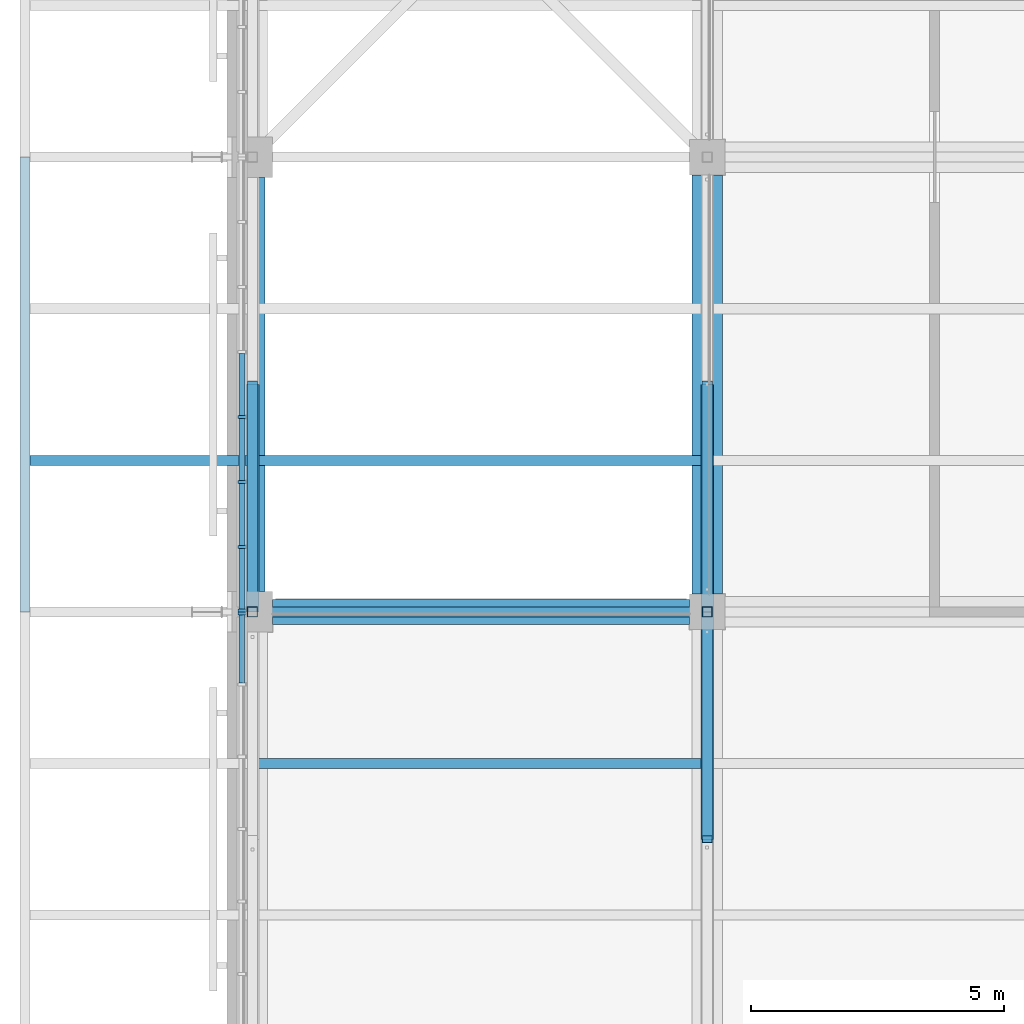
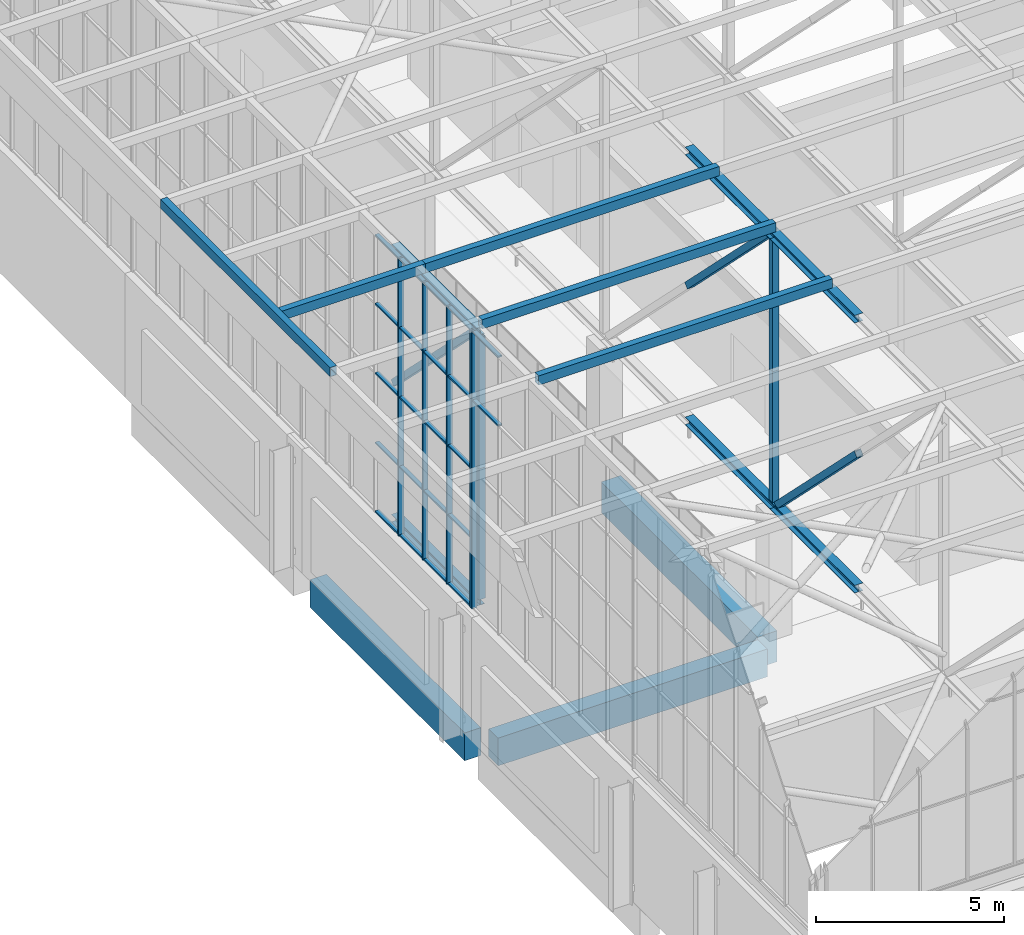
# One storey, part 14 of 646: 45 members, 3 beams, 2 elements without a shape of their own.
"""IFC4 building model written with IfcOpenShell, lengths in metres."""

from ifc_helpers import new_model, si_unit, direction, frame, origin, origin_2d, place, context, subcontext, project, spatial, rectangle, hollow_rectangle, i_section, extrude, material, material_profile, profile_set, type_object, element, aggregate, save


model = new_model("IFC4")

# Units and contexts
model_context = context("Model", 3, precision=1e-05, world=origin(), true_north=direction((0.0, 1.0)))
body_context = subcontext(model_context, "Body", "Model", "MODEL_VIEW")
ifc_project = project(units=[si_unit("LENGTHUNIT", "METRE"), si_unit("AREAUNIT", "SQUARE_METRE"), si_unit("VOLUMEUNIT", "CUBIC_METRE"), si_unit("PLANEANGLEUNIT", "RADIAN"), si_unit("MASSUNIT", "GRAM", prefix="KILO")], contexts=[model_context])

# Site, building, storey
site_placement = place(None, origin())
site = spatial("IfcSite", under=ifc_project, at=site_placement, CompositionType="ELEMENT")
building_placement = place(site_placement, origin())
building = spatial("IfcBuilding", under=site, at=building_placement, Name="Silverbay Arena", CompositionType="ELEMENT")
storey_placement = place(building_placement, frame((0.0, 0.0, 33.5)))
storey = spatial("IfcBuildingStorey", under=building, at=storey_placement, Name="L05", CompositionType="ELEMENT", Elevation=33.5)

# Curtain wall, member
ifc_material_1 = material(Name="Aluminium framed glazing", Category="aluminium")
curtain_wall_type_1 = type_object("IfcCurtainWallType", Name="Curtain wall clerestory 8600 x 9000", PredefinedType="NOTDEFINED", material=ifc_material_1)
curtain_wall_1_placement = place(storey_placement, origin())
curtain_wall_1 = element("IfcCurtainWall", 1, at=curtain_wall_1_placement, inside=storey, type_object=curtain_wall_type_1, Name="ROOF GABLE CLERESTORY CURTAIN WALL west bay 03", PredefinedType="NOTDEFINED")
ifc_material_2 = material(Name="Aluminium", Category="aluminium")
ifc_material_profile_1 = material_profile(ifc_material_2, rectangle(XDim=0.159912109375, YDim=0.06005859375, at=origin_2d()), Name="Mullion 60 x 160")
ifc_profile_set_1 = profile_set([ifc_material_profile_1], Name="Aluminium")
member_type_1 = type_object("IfcMemberType", Name="Mullion 60 x 160", PredefinedType="MULLION", material=ifc_profile_set_1)
member_1_placement = place(storey_placement, frame((53.7900390625, 35.969970703125, 4.0), z_axis=(0.0, 0.0, 1.0), x_axis=(-1.0, 0.0, 0.0)))
member_1 = element("IfcMember", 2, at=member_1_placement, type_object=member_type_1, Name="CW59 mullion 7", PredefinedType="MULLION", context=body_context, shape_type="SweptSolid", body=[
    extrude(rectangle(XDim=0.159912109375, YDim=0.06005859375, at=origin_2d()), origin(), (0.0, 0.0, 1.0), 9.0),
])

# Curtain wall, members
ifc_material_3 = material(Name="Aluminium framed glazing", Category="aluminium")
curtain_wall_type_2 = type_object("IfcCurtainWallType", Name="Curtain wall clerestory 9000 x 9000", PredefinedType="NOTDEFINED", material=ifc_material_3)
curtain_wall_2_placement = place(storey_placement, origin())
curtain_wall_2 = element("IfcCurtainWall", 3, at=curtain_wall_2_placement, inside=storey, type_object=curtain_wall_type_2, Name="ROOF GABLE CLERESTORY CURTAIN WALL west bay 04", PredefinedType="NOTDEFINED")
member_2_placement = place(storey_placement, frame((53.7900390625, 36.030029296875, 4.0), z_axis=(0.0, 0.0, 1.0), x_axis=(-1.0, 0.0, 0.0)))
member_2 = element("IfcMember", 4, at=member_2_placement, type_object=member_type_1, Name="CW60 mullion 1", PredefinedType="MULLION", context=body_context, shape_type="SweptSolid", body=[
    extrude(rectangle(XDim=0.159912109375, YDim=0.06005859375, at=origin_2d()), origin(), (0.0, 0.0, 1.0), 9.0),
])
member_3_placement = place(storey_placement, frame((53.7900390625, 37.28564453125, 4.0), z_axis=(0.0, 0.0, 1.0), x_axis=(-1.0, 0.0, 0.0)))
member_3 = element("IfcMember", 5, at=member_3_placement, type_object=member_type_1, Name="CW60 mullion 2", PredefinedType="MULLION", context=body_context, shape_type="SweptSolid", body=[
    extrude(rectangle(XDim=0.159912109375, YDim=0.06005859375, at=origin_2d()), origin(), (0.0, 0.0, 1.0), 9.0),
])
member_4_placement = place(storey_placement, frame((53.7900390625, 38.571533203125, 4.0), z_axis=(0.0, 0.0, 1.0), x_axis=(-1.0, 0.0, 0.0)))
member_4 = element("IfcMember", 6, at=member_4_placement, type_object=member_type_1, Name="CW60 mullion 3", PredefinedType="MULLION", context=body_context, shape_type="SweptSolid", body=[
    extrude(rectangle(XDim=0.159912109375, YDim=0.06005859375, at=origin_2d()), origin(), (0.0, 0.0, 1.0), 9.0),
])
member_5_placement = place(storey_placement, frame((53.7900390625, 39.857177734375, 4.0), z_axis=(0.0, 0.0, 1.0), x_axis=(-1.0, 0.0, 0.0)))
member_5 = element("IfcMember", 7, at=member_5_placement, type_object=member_type_1, Name="CW60 mullion 4", PredefinedType="MULLION", context=body_context, shape_type="SweptSolid", body=[
    extrude(rectangle(XDim=0.159912109375, YDim=0.06005859375, at=origin_2d()), origin(), (0.0, 0.0, 1.0), 9.0),
])

# Members
ifc_material_4 = material(Name="Steel S355", Category="steel")
ifc_material_profile_2 = material_profile(ifc_material_4, hollow_rectangle(XDim=0.199951171875, YDim=0.300048828125, WallThickness=0.008056640625, at=origin_2d()), Name="RHS 300x200x8")
ifc_profile_set_2 = profile_set([ifc_material_profile_2], Name="Steel S355")
member_type_2 = type_object("IfcMemberType", Name="Purlin RHS 300x200x8", PredefinedType="PURLIN", material=ifc_profile_set_2)
for number, where, z_axis, x_axis, name in (
    (8, (54.0, 33.0, 13.14990234375), (1.0, 0.0, 0.0), (0.0, 1.0, 0.0), "ROOF PURLIN 7-8 line 09"),
    (9, (54.0, 36.0, 13.14990234375), (1.0, 0.0, 0.0), (0.0, 1.0, 0.0), "ROOF PURLIN 7-8 line 10"),
    (10, (54.0, 39.0, 13.14990234375), (1.0, 0.0, 0.0), (0.0, 1.0, 0.0), "ROOF PURLIN 7-8 line 11"),
):
    element("IfcMember", number, at=place(storey_placement, frame(where, z_axis=z_axis, x_axis=x_axis)), inside=storey, type_object=member_type_2, Name=name, PredefinedType="PURLIN", context=body_context, shape_type="SweptSolid", body=[
        extrude(hollow_rectangle(XDim=0.199951171875, YDim=0.300048828125, WallThickness=0.008056640625, at=origin_2d()), origin(), (0.0, 0.0, 1.0), 9.0),
    ])
member_6_placement = place(storey_placement, frame((49.60009765625, 39.0, 13.14990234375), z_axis=(1.0, 0.0, 0.0), x_axis=(0.0, 1.0, 0.0)))
element("IfcMember", 11, at=member_6_placement, inside=storey, type_object=member_type_2, Name="ROOF PURLIN west eave line 11", PredefinedType="PURLIN", context=body_context, shape_type="SweptSolid", body=[
    extrude(hollow_rectangle(XDim=0.199951171875, YDim=0.300048828125, WallThickness=0.008056640625, at=origin_2d()), origin(), (0.0, 0.0, 1.0), 4.39990234375),
])
member_7_placement = place(storey_placement, frame((49.5, 36.0, 13.14990234375), z_axis=(0.0, 1.0, 0.0), x_axis=(-1.0, 0.0, 0.0)))
element("IfcMember", 12, at=member_7_placement, inside=storey, type_object=member_type_2, Name="ROOF PURLIN west eave edge 04", PredefinedType="PURLIN", context=body_context, shape_type="SweptSolid", body=[
    extrude(hollow_rectangle(XDim=0.199951171875, YDim=0.300048828125, WallThickness=0.008056640625, at=origin_2d()), origin(), (0.0, 0.0, 1.0), 9.0),
])

# Beams
ifc_material_5 = material(Name="Concrete Grade C45", Category="concrete")
ifc_material_profile_3 = material_profile(ifc_material_5, rectangle(XDim=0.5, YDim=0.89990234375, at=origin_2d()), Name="RC 500x900")
ifc_profile_set_3 = profile_set([ifc_material_profile_3], Name="Concrete Grade C45")
beam_type_1 = type_object("IfcBeamType", Name="RC beam 500x900", PredefinedType="BEAM", material=ifc_profile_set_3)
beam_1_placement = place(storey_placement, frame((54.39990234375, 36.0, -0.75), z_axis=(1.0, 0.0, 0.0), x_axis=(0.0, 1.0, 0.0)))
element("IfcBeam", 13, at=beam_1_placement, inside=storey, type_object=beam_type_1, Name="Floor beam L05 011", PredefinedType="BEAM", context=body_context, shape_type="SweptSolid", body=[
    extrude(rectangle(XDim=0.5, YDim=0.89990234375, at=origin_2d()), origin(), (0.0, 0.0, 1.0), 8.25),
])
beam_2_placement = place(storey_placement, frame((54.0, 36.39990234375, -0.75), z_axis=(0.0, 1.0, 0.0), x_axis=(-1.0, 0.0, 0.0)))
element("IfcBeam", 14, at=beam_2_placement, inside=storey, type_object=beam_type_1, Name="Floor beam L05 072", PredefinedType="BEAM", context=body_context, shape_type="SweptSolid", body=[
    extrude(rectangle(XDim=0.5, YDim=0.89990234375, at=origin_2d()), origin(), (0.0, 0.0, 1.0), 8.2001953125),
])
ifc_material_6 = material(Name="Concrete Grade C45", Category="concrete")
ifc_material_profile_4 = material_profile(ifc_material_6, rectangle(XDim=0.60009765625, YDim=1.0, at=origin_2d()), Name="RC 600x1000")
ifc_profile_set_4 = profile_set([ifc_material_profile_4], Name="Concrete Grade C45")
beam_type_2 = type_object("IfcBeamType", Name="RC beam 600x1000", PredefinedType="BEAM", material=ifc_profile_set_4)
beam_3_placement = place(storey_placement, frame((63.0, 36.35009765625, -0.800048828125), z_axis=(0.0, 1.0, 0.0), x_axis=(-1.0, 0.0, 0.0)))
element("IfcBeam", 15, at=beam_3_placement, inside=storey, type_object=beam_type_2, Name="Floor beam L05 080", PredefinedType="BEAM", context=body_context, shape_type="SweptSolid", body=[
    extrude(rectangle(XDim=0.60009765625, YDim=1.0, at=origin_2d()), origin(), (0.0, 0.0, 1.0), 8.2998046875),
])

# Members
ifc_material_7 = material(Name="Steel S355", Category="steel")
ifc_material_profile_5 = material_profile(ifc_material_7, i_section(OverallWidth=0.254638671875, OverallDepth=0.254150390625, WebThickness=0.008544921875, FlangeThickness=0.01416015625, at=origin_2d()), Name="UC 254x254x73")
ifc_profile_set_5 = profile_set([ifc_material_profile_5], Name="Steel S355")
member_type_3 = type_object("IfcMemberType", Name="Short-span bottom chord UC 254x254x73", PredefinedType="CHORD", material=ifc_profile_set_5)
for number, where, z_axis, x_axis, name in (
    (16, (54.0, 36.0, 4.126953125), (0.0, 1.0, 0.0), (-1.0, 0.0, 0.0), "ROOF TRUSS 7 bottom chord 04a"),
    (17, (63.0, 31.5, 4.126953125), (0.0, 1.0, 0.0), (-1.0, 0.0, 0.0), "ROOF TRUSS 8 bottom chord 03b"),
    (18, (63.0, 36.0, 4.126953125), (0.0, 1.0, 0.0), (-1.0, 0.0, 0.0), "ROOF TRUSS 8 bottom chord 04a"),
):
    element("IfcMember", number, at=place(storey_placement, frame(where, z_axis=z_axis, x_axis=x_axis)), inside=storey, type_object=member_type_3, Name=name, PredefinedType="CHORD", context=body_context, shape_type="SweptSolid", body=[
        extrude(i_section(OverallWidth=0.254638671875, OverallDepth=0.254150390625, WebThickness=0.008544921875, FlangeThickness=0.01416015625, at=origin_2d()), origin(), (0.0, 0.0, 1.0), 4.5),
    ])
ifc_material_8 = material(Name="Steel S355", Category="steel")
ifc_material_profile_6 = material_profile(ifc_material_8, i_section(OverallWidth=0.254638671875, OverallDepth=0.254150390625, WebThickness=0.008544921875, FlangeThickness=0.01416015625, at=origin_2d()), Name="UC 254x254x73")
ifc_profile_set_6 = profile_set([ifc_material_profile_6], Name="Steel S355")
member_type_4 = type_object("IfcMemberType", Name="Short-span top chord UC 254x254x73", PredefinedType="CHORD", material=ifc_profile_set_6)
for number, where, z_axis, x_axis, name in (
    (19, (54.0, 36.0, 12.873046875), (0.0, 1.0, 0.0), (-1.0, 0.0, 0.0), "ROOF TRUSS 7 top chord 04a"),
    (20, (63.0, 31.5, 12.873046875), (0.0, 1.0, 0.0), (-1.0, 0.0, 0.0), "ROOF TRUSS 8 top chord 03b"),
    (21, (63.0, 36.0, 12.873046875), (0.0, 1.0, 0.0), (-1.0, 0.0, 0.0), "ROOF TRUSS 8 top chord 04a"),
):
    element("IfcMember", number, at=place(storey_placement, frame(where, z_axis=z_axis, x_axis=x_axis)), inside=storey, type_object=member_type_4, Name=name, PredefinedType="CHORD", context=body_context, shape_type="SweptSolid", body=[
        extrude(i_section(OverallWidth=0.254638671875, OverallDepth=0.254150390625, WebThickness=0.008544921875, FlangeThickness=0.01416015625, at=origin_2d()), origin(), (0.0, 0.0, 1.0), 4.5),
    ])
ifc_material_9 = material(Name="Steel S355", Category="steel")
ifc_material_profile_7 = material_profile(ifc_material_9, hollow_rectangle(XDim=0.199951171875, YDim=0.199951171875, WallThickness=0.008056640625, at=origin_2d()), Name="SHS 200x200x8")
ifc_profile_set_7 = profile_set([ifc_material_profile_7], Name="Steel S355")
member_type_5 = type_object("IfcMemberType", Name="Short-span truss diagonal SHS 200x200x8", PredefinedType="BRACE", material=ifc_profile_set_7)
for number, where, z_axis, x_axis, name in (
    (22, (54.0, 36.24560546875, 12.745849609375), (0.0, 0.70781724692, -0.706395600894), (-1.0, 0.0, 0.0), "ROOF TRUSS 7 diagonal 04a"),
    (23, (63.0, 31.5, 8.5), (0.0, 0.70781724692, -0.706395600894), (-1.0, 0.0, 0.0), "ROOF TRUSS 8 diagonal 03b"),
    (24, (63.0, 36.24560546875, 12.745849609375), (0.0, 0.70781724692, -0.706395600894), (-1.0, 0.0, 0.0), "ROOF TRUSS 8 diagonal 04a"),
):
    element("IfcMember", number, at=place(storey_placement, frame(where, z_axis=z_axis, x_axis=x_axis)), inside=storey, type_object=member_type_5, Name=name, PredefinedType="BRACE", context=body_context, shape_type="SweptSolid", body=[
        extrude(hollow_rectangle(XDim=0.199951171875, YDim=0.199951171875, WallThickness=0.008056640625, at=origin_2d()), origin(), (0.0, 0.0, 1.0), 6.010498046875),
    ])
ifc_material_10 = material(Name="Steel S355", Category="steel")
ifc_material_profile_8 = material_profile(ifc_material_10, hollow_rectangle(XDim=0.199951171875, YDim=0.199951171875, WallThickness=0.008056640625, at=origin_2d()), Name="SHS 200x200x8")
ifc_profile_set_8 = profile_set([ifc_material_profile_8], Name="Steel S355")
member_type_6 = type_object("IfcMemberType", Name="Short-span truss vertical SHS 200x200x8", PredefinedType="STRUT", material=ifc_profile_set_8)
for number, where, z_axis, x_axis, name in (
    (25, (54.0, 36.0, 4.254150390625), (0.0, 0.0, 1.0), (1.0, 0.0, 0.0), "ROOF TRUSS 7 vertical 04a"),
    (26, (54.0, 36.0, 8.5), (0.0, 0.0, 1.0), (1.0, 0.0, 0.0), "ROOF TRUSS 7 vertical 04b"),
    (27, (63.0, 36.0, 4.254150390625), (0.0, 0.0, 1.0), (1.0, 0.0, 0.0), "ROOF TRUSS 8 vertical 04a"),
    (28, (63.0, 36.0, 8.5), (0.0, 0.0, 1.0), (1.0, 0.0, 0.0), "ROOF TRUSS 8 vertical 04b"),
):
    element("IfcMember", number, at=place(storey_placement, frame(where, z_axis=z_axis, x_axis=x_axis)), inside=storey, type_object=member_type_6, Name=name, PredefinedType="STRUT", context=body_context, shape_type="SweptSolid", body=[
        extrude(hollow_rectangle(XDim=0.199951171875, YDim=0.199951171875, WallThickness=0.008056640625, at=origin_2d()), origin(), (0.0, 0.0, 1.0), 4.245849609375),
    ])

# Member
ifc_material_11 = material(Name="Aluminium", Category="aluminium")
ifc_material_profile_9 = material_profile(ifc_material_11, rectangle(XDim=0.1201171875, YDim=0.050048828125, at=origin_2d()), Name="Transom 50 x 120")
ifc_profile_set_9 = profile_set([ifc_material_profile_9], Name="Aluminium")
member_type_7 = type_object("IfcMemberType", Name="Transom 50 x 120", PredefinedType="USERDEFINED", material=ifc_profile_set_9)
member_8_placement = place(storey_placement, frame((53.7900390625, 34.5966796875, 10.75), z_axis=(0.0, 1.0, 0.0), x_axis=(-1.0, 0.0, 0.0)))
member_8 = element("IfcMember", 29, at=member_8_placement, type_object=member_type_7, Name="CW59 transom 6.4", ObjectType="TRANSOM", PredefinedType="USERDEFINED", context=body_context, shape_type="SweptSolid", body=[
    extrude(rectangle(XDim=0.1201171875, YDim=0.050048828125, at=origin_2d()), origin(), (0.0, 0.0, 1.0), 1.34326171875),
])

member_9_placement = place(storey_placement, frame((53.7900390625, 34.5966796875, 12.97509765625), z_axis=(0.0, 1.0, 0.0), x_axis=(-1.0, 0.0, 0.0)))
member_9 = element("IfcMember", 30, at=member_9_placement, type_object=member_type_7, Name="CW59 transom 6.5", ObjectType="TRANSOM", PredefinedType="USERDEFINED", context=body_context, shape_type="SweptSolid", body=[
    extrude(rectangle(XDim=0.1201171875, YDim=0.050048828125, at=origin_2d()), origin(), (0.0, 0.0, 1.0), 1.34326171875),
])

aggregate(curtain_wall_1, [member_1, member_8, member_9])

member_10_placement = place(storey_placement, frame((53.7900390625, 36.06005859375, 4.02490234375), z_axis=(0.0, 1.0, 0.0), x_axis=(-1.0, 0.0, 0.0)))
member_10 = element("IfcMember", 31, at=member_10_placement, type_object=member_type_7, Name="CW60 transom 1.1", ObjectType="TRANSOM", PredefinedType="USERDEFINED", context=body_context, shape_type="SweptSolid", body=[
    extrude(rectangle(XDim=0.1201171875, YDim=0.050048828125, at=origin_2d()), origin(), (0.0, 0.0, 1.0), 1.195556640625),
])

member_11_placement = place(storey_placement, frame((53.7900390625, 36.06005859375, 6.25), z_axis=(0.0, 1.0, 0.0), x_axis=(-1.0, 0.0, 0.0)))
member_11 = element("IfcMember", 32, at=member_11_placement, type_object=member_type_7, Name="CW60 transom 1.2", ObjectType="TRANSOM", PredefinedType="USERDEFINED", context=body_context, shape_type="SweptSolid", body=[
    extrude(rectangle(XDim=0.1201171875, YDim=0.050048828125, at=origin_2d()), origin(), (0.0, 0.0, 1.0), 1.195556640625),
])

member_12_placement = place(storey_placement, frame((53.7900390625, 36.06005859375, 8.5), z_axis=(0.0, 1.0, 0.0), x_axis=(-1.0, 0.0, 0.0)))
member_12 = element("IfcMember", 33, at=member_12_placement, type_object=member_type_7, Name="CW60 transom 1.3", ObjectType="TRANSOM", PredefinedType="USERDEFINED", context=body_context, shape_type="SweptSolid", body=[
    extrude(rectangle(XDim=0.1201171875, YDim=0.050048828125, at=origin_2d()), origin(), (0.0, 0.0, 1.0), 1.195556640625),
])

member_13_placement = place(storey_placement, frame((53.7900390625, 36.06005859375, 10.75), z_axis=(0.0, 1.0, 0.0), x_axis=(-1.0, 0.0, 0.0)))
member_13 = element("IfcMember", 34, at=member_13_placement, type_object=member_type_7, Name="CW60 transom 1.4", ObjectType="TRANSOM", PredefinedType="USERDEFINED", context=body_context, shape_type="SweptSolid", body=[
    extrude(rectangle(XDim=0.1201171875, YDim=0.050048828125, at=origin_2d()), origin(), (0.0, 0.0, 1.0), 1.195556640625),
])

member_14_placement = place(storey_placement, frame((53.7900390625, 36.06005859375, 12.97509765625), z_axis=(0.0, 1.0, 0.0), x_axis=(-1.0, 0.0, 0.0)))
member_14 = element("IfcMember", 35, at=member_14_placement, type_object=member_type_7, Name="CW60 transom 1.5", ObjectType="TRANSOM", PredefinedType="USERDEFINED", context=body_context, shape_type="SweptSolid", body=[
    extrude(rectangle(XDim=0.1201171875, YDim=0.050048828125, at=origin_2d()), origin(), (0.0, 0.0, 1.0), 1.195556640625),
])

member_15_placement = place(storey_placement, frame((53.7900390625, 37.315673828125, 4.02490234375), z_axis=(0.0, 1.0, 0.0), x_axis=(-1.0, 0.0, 0.0)))
member_15 = element("IfcMember", 36, at=member_15_placement, type_object=member_type_7, Name="CW60 transom 2.1", ObjectType="TRANSOM", PredefinedType="USERDEFINED", context=body_context, shape_type="SweptSolid", body=[
    extrude(rectangle(XDim=0.1201171875, YDim=0.050048828125, at=origin_2d()), origin(), (0.0, 0.0, 1.0), 1.225830078125),
])

member_16_placement = place(storey_placement, frame((53.7900390625, 37.315673828125, 6.25), z_axis=(0.0, 1.0, 0.0), x_axis=(-1.0, 0.0, 0.0)))
member_16 = element("IfcMember", 37, at=member_16_placement, type_object=member_type_7, Name="CW60 transom 2.2", ObjectType="TRANSOM", PredefinedType="USERDEFINED", context=body_context, shape_type="SweptSolid", body=[
    extrude(rectangle(XDim=0.1201171875, YDim=0.050048828125, at=origin_2d()), origin(), (0.0, 0.0, 1.0), 1.225830078125),
])

member_17_placement = place(storey_placement, frame((53.7900390625, 37.315673828125, 8.5), z_axis=(0.0, 1.0, 0.0), x_axis=(-1.0, 0.0, 0.0)))
member_17 = element("IfcMember", 38, at=member_17_placement, type_object=member_type_7, Name="CW60 transom 2.3", ObjectType="TRANSOM", PredefinedType="USERDEFINED", context=body_context, shape_type="SweptSolid", body=[
    extrude(rectangle(XDim=0.1201171875, YDim=0.050048828125, at=origin_2d()), origin(), (0.0, 0.0, 1.0), 1.225830078125),
])

member_18_placement = place(storey_placement, frame((53.7900390625, 37.315673828125, 10.75), z_axis=(0.0, 1.0, 0.0), x_axis=(-1.0, 0.0, 0.0)))
member_18 = element("IfcMember", 39, at=member_18_placement, type_object=member_type_7, Name="CW60 transom 2.4", ObjectType="TRANSOM", PredefinedType="USERDEFINED", context=body_context, shape_type="SweptSolid", body=[
    extrude(rectangle(XDim=0.1201171875, YDim=0.050048828125, at=origin_2d()), origin(), (0.0, 0.0, 1.0), 1.225830078125),
])

member_19_placement = place(storey_placement, frame((53.7900390625, 37.315673828125, 12.97509765625), z_axis=(0.0, 1.0, 0.0), x_axis=(-1.0, 0.0, 0.0)))
member_19 = element("IfcMember", 40, at=member_19_placement, type_object=member_type_7, Name="CW60 transom 2.5", ObjectType="TRANSOM", PredefinedType="USERDEFINED", context=body_context, shape_type="SweptSolid", body=[
    extrude(rectangle(XDim=0.1201171875, YDim=0.050048828125, at=origin_2d()), origin(), (0.0, 0.0, 1.0), 1.225830078125),
])

member_20_placement = place(storey_placement, frame((53.7900390625, 38.601318359375, 4.02490234375), z_axis=(0.0, 1.0, 0.0), x_axis=(-1.0, 0.0, 0.0)))
member_20 = element("IfcMember", 41, at=member_20_placement, type_object=member_type_7, Name="CW60 transom 3.1", ObjectType="TRANSOM", PredefinedType="USERDEFINED", context=body_context, shape_type="SweptSolid", body=[
    extrude(rectangle(XDim=0.1201171875, YDim=0.050048828125, at=origin_2d()), origin(), (0.0, 0.0, 1.0), 1.225830078125),
])

member_21_placement = place(storey_placement, frame((53.7900390625, 38.601318359375, 6.25), z_axis=(0.0, 1.0, 0.0), x_axis=(-1.0, 0.0, 0.0)))
member_21 = element("IfcMember", 42, at=member_21_placement, type_object=member_type_7, Name="CW60 transom 3.2", ObjectType="TRANSOM", PredefinedType="USERDEFINED", context=body_context, shape_type="SweptSolid", body=[
    extrude(rectangle(XDim=0.1201171875, YDim=0.050048828125, at=origin_2d()), origin(), (0.0, 0.0, 1.0), 1.225830078125),
])

member_22_placement = place(storey_placement, frame((53.7900390625, 38.601318359375, 8.5), z_axis=(0.0, 1.0, 0.0), x_axis=(-1.0, 0.0, 0.0)))
member_22 = element("IfcMember", 43, at=member_22_placement, type_object=member_type_7, Name="CW60 transom 3.3", ObjectType="TRANSOM", PredefinedType="USERDEFINED", context=body_context, shape_type="SweptSolid", body=[
    extrude(rectangle(XDim=0.1201171875, YDim=0.050048828125, at=origin_2d()), origin(), (0.0, 0.0, 1.0), 1.225830078125),
])

member_23_placement = place(storey_placement, frame((53.7900390625, 38.601318359375, 10.75), z_axis=(0.0, 1.0, 0.0), x_axis=(-1.0, 0.0, 0.0)))
member_23 = element("IfcMember", 44, at=member_23_placement, type_object=member_type_7, Name="CW60 transom 3.4", ObjectType="TRANSOM", PredefinedType="USERDEFINED", context=body_context, shape_type="SweptSolid", body=[
    extrude(rectangle(XDim=0.1201171875, YDim=0.050048828125, at=origin_2d()), origin(), (0.0, 0.0, 1.0), 1.225830078125),
])

member_24_placement = place(storey_placement, frame((53.7900390625, 38.601318359375, 12.97509765625), z_axis=(0.0, 1.0, 0.0), x_axis=(-1.0, 0.0, 0.0)))
member_24 = element("IfcMember", 45, at=member_24_placement, type_object=member_type_7, Name="CW60 transom 3.5", ObjectType="TRANSOM", PredefinedType="USERDEFINED", context=body_context, shape_type="SweptSolid", body=[
    extrude(rectangle(XDim=0.1201171875, YDim=0.050048828125, at=origin_2d()), origin(), (0.0, 0.0, 1.0), 1.225830078125),
])

member_25_placement = place(storey_placement, frame((53.7900390625, 39.88720703125, 4.02490234375), z_axis=(0.0, 1.0, 0.0), x_axis=(-1.0, 0.0, 0.0)))
member_25 = element("IfcMember", 46, at=member_25_placement, type_object=member_type_7, Name="CW60 transom 4.1", ObjectType="TRANSOM", PredefinedType="USERDEFINED", context=body_context, shape_type="SweptSolid", body=[
    extrude(rectangle(XDim=0.1201171875, YDim=0.050048828125, at=origin_2d()), origin(), (0.0, 0.0, 1.0), 1.2255859375),
])

member_26_placement = place(storey_placement, frame((53.7900390625, 39.88720703125, 6.25), z_axis=(0.0, 1.0, 0.0), x_axis=(-1.0, 0.0, 0.0)))
member_26 = element("IfcMember", 47, at=member_26_placement, type_object=member_type_7, Name="CW60 transom 4.2", ObjectType="TRANSOM", PredefinedType="USERDEFINED", context=body_context, shape_type="SweptSolid", body=[
    extrude(rectangle(XDim=0.1201171875, YDim=0.050048828125, at=origin_2d()), origin(), (0.0, 0.0, 1.0), 1.2255859375),
])

member_27_placement = place(storey_placement, frame((53.7900390625, 39.88720703125, 8.5), z_axis=(0.0, 1.0, 0.0), x_axis=(-1.0, 0.0, 0.0)))
member_27 = element("IfcMember", 48, at=member_27_placement, type_object=member_type_7, Name="CW60 transom 4.3", ObjectType="TRANSOM", PredefinedType="USERDEFINED", context=body_context, shape_type="SweptSolid", body=[
    extrude(rectangle(XDim=0.1201171875, YDim=0.050048828125, at=origin_2d()), origin(), (0.0, 0.0, 1.0), 1.2255859375),
])

member_28_placement = place(storey_placement, frame((53.7900390625, 39.88720703125, 10.75), z_axis=(0.0, 1.0, 0.0), x_axis=(-1.0, 0.0, 0.0)))
member_28 = element("IfcMember", 49, at=member_28_placement, type_object=member_type_7, Name="CW60 transom 4.4", ObjectType="TRANSOM", PredefinedType="USERDEFINED", context=body_context, shape_type="SweptSolid", body=[
    extrude(rectangle(XDim=0.1201171875, YDim=0.050048828125, at=origin_2d()), origin(), (0.0, 0.0, 1.0), 1.2255859375),
])

member_29_placement = place(storey_placement, frame((53.7900390625, 39.88720703125, 12.97509765625), z_axis=(0.0, 1.0, 0.0), x_axis=(-1.0, 0.0, 0.0)))
member_29 = element("IfcMember", 50, at=member_29_placement, type_object=member_type_7, Name="CW60 transom 4.5", ObjectType="TRANSOM", PredefinedType="USERDEFINED", context=body_context, shape_type="SweptSolid", body=[
    extrude(rectangle(XDim=0.1201171875, YDim=0.050048828125, at=origin_2d()), origin(), (0.0, 0.0, 1.0), 1.2255859375),
])

aggregate(curtain_wall_2, [member_2, member_3, member_4, member_5, member_10, member_11, member_12, member_13, member_14, member_15, member_16, member_17, member_18, member_19, member_20, member_21, member_22, member_23, member_24, member_25, member_26, member_27, member_28, member_29])

save(model, "model.ifc")
